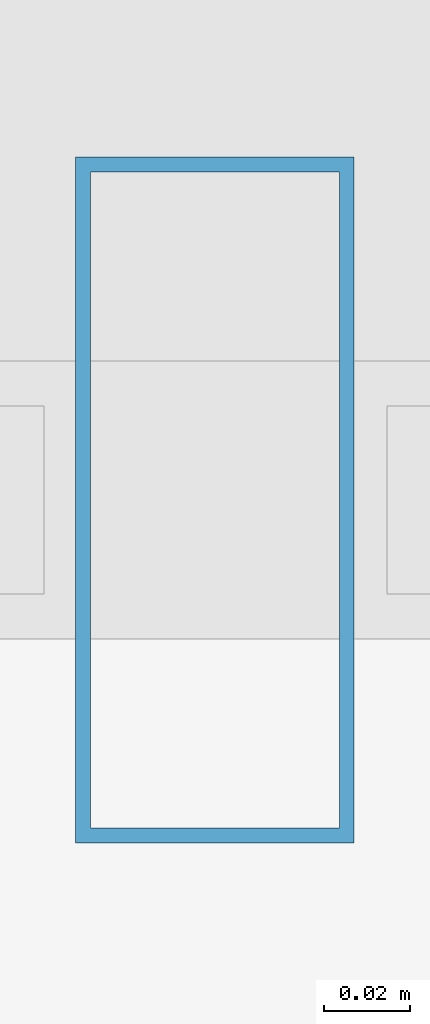
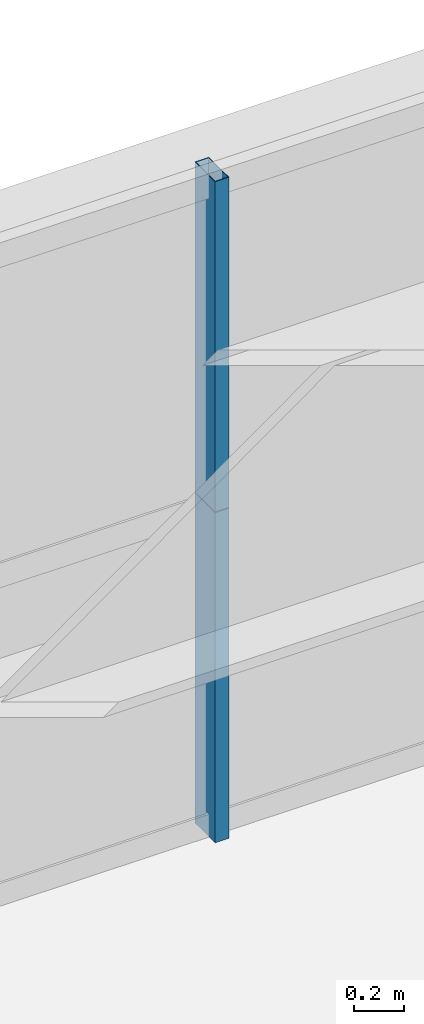
# One storey, part 30 of 39: 2 members, 1 element without a shape of its own.
"""IFC4 building model written with IfcOpenShell, lengths in metres."""

from ifc_helpers import new_model, si_unit, direction, frame, origin, origin_2d, place, context, subcontext, project, spatial, hollow_rectangle, extrude, source, transform, mapped, material, layer, layer_set, material_profile, profile_set, type_object, element, aggregate, save


model = new_model("IFC4")

# Units and contexts
model_context = context("Model", 3, precision=1e-05, world=origin(), true_north=direction((0.0, 1.0)))
body_context = subcontext(model_context, "Body", "Model", "MODEL_VIEW")
ifc_project = project(units=[si_unit("LENGTHUNIT", "METRE"), si_unit("AREAUNIT", "SQUARE_METRE"), si_unit("VOLUMEUNIT", "CUBIC_METRE"), si_unit("PLANEANGLEUNIT", "RADIAN"), si_unit("MASSUNIT", "GRAM", prefix="KILO"), si_unit("THERMODYNAMICTEMPERATUREUNIT", "KELVIN"), si_unit("POWERUNIT", "WATT")], contexts=[model_context])

# Site, building, storey
site_placement = place(None, origin())
site = spatial("IfcSite", under=ifc_project, at=site_placement, CompositionType="ELEMENT")
building_placement = place(site_placement, origin())
building = spatial("IfcBuilding", under=site, at=building_placement, Name="Yuzanri Waterfront Tower", CompositionType="ELEMENT")
storey_placement = place(building_placement, frame((0.0, 0.0, 216.0)))
storey = spatial("IfcBuildingStorey", under=building, at=storey_placement, Name="L57", CompositionType="ELEMENT", Elevation=216.0)

# Curtain wall, members
ifc_material_1 = material(Name="Anodized Architectural Bronze", Category="metal")
ifc_layer = layer(ifc_material_1, 0.159912109375)
ifc_layer_set = layer_set([ifc_layer], Name="Anodized Architectural Bronze")
curtain_wall_type = type_object("IfcCurtainWallType", Name="Anodized Bronze Mid-Rise Residential Acoustic Unitized Curtain Wall 7200", PredefinedType="NOTDEFINED", material=ifc_layer_set)
curtain_wall_placement = place(storey_placement, origin())
curtain_wall = element("IfcCurtainWall", 1, at=curtain_wall_placement, inside=storey, type_object=curtain_wall_type, Name="L57 Curtain Wall CW-L57-NR", PredefinedType="NOTDEFINED")
ifc_material_2 = material(Name="Anodized Architectural Bronze", Category="metal")
ifc_material_profile = material_profile(ifc_material_2, hollow_rectangle(XDim=0.06494140625, YDim=0.159912109375, WallThickness=0.00341796875, at=origin_2d()), Name="CWM 65x160")
ifc_profile_set = profile_set([ifc_material_profile], Name="Anodized Architectural Bronze")
member_type = type_object("IfcMemberType", Name="Anodized Bronze Upper-Zone Curtain-Wall Mullion 65x160", PredefinedType="MULLION", material=ifc_profile_set)
shared_shape = source(origin(), body_context, "Body", "SweptSolid", [
    extrude(hollow_rectangle(XDim=0.06494140625, YDim=0.159912109375, WallThickness=0.00341796875, at=origin_2d()), origin(), (0.0, 0.0, 1.0), 1.60791015625),
])
member_1_placement = place(storey_placement, frame((44.574951171875, 47.75, 0.0), z_axis=(0.0, 0.0, 1.0), x_axis=(1.0, 0.0, 0.0)))
member_1 = element("IfcMember", 2, at=member_1_placement, type_object=member_type, Name="CW-L57-NR Lower Mullion 01", PredefinedType="MULLION", context=body_context, shape_type="MappedRepresentation", body=[
    mapped(shared_shape, transform((0.0, 0.0, 0.0), scale=1.0)),
])
member_2_placement = place(storey_placement, frame((44.574951171875, 47.75, 1.612060546875), z_axis=(0.0, 0.0, 1.0), x_axis=(1.0, 0.0, 0.0)))
member_2 = element("IfcMember", 3, at=member_2_placement, type_object=member_type, Name="CW-L57-NR Upper Mullion 01", PredefinedType="MULLION", context=body_context, shape_type="MappedRepresentation", body=[
    mapped(shared_shape, transform((0.0, 0.0, 0.0), scale=1.0)),
])
aggregate(curtain_wall, [member_1, member_2])

save(model, "model.ifc")
